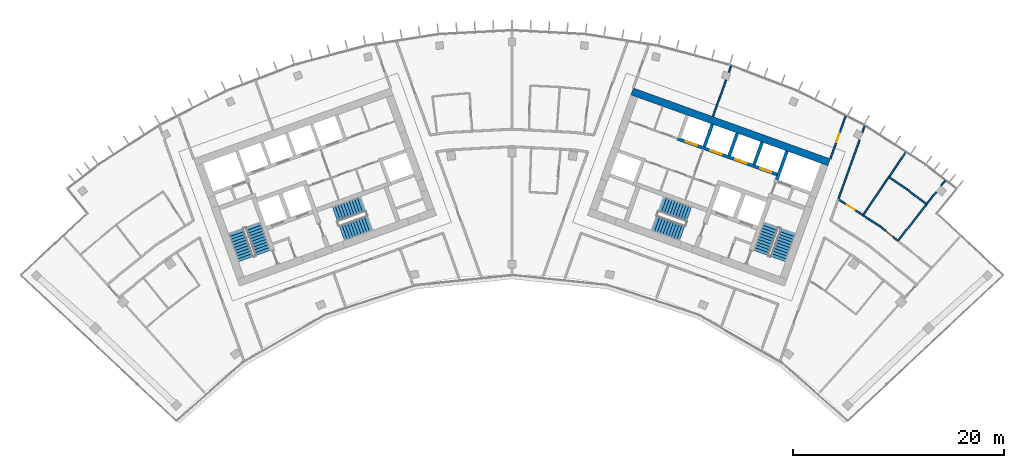
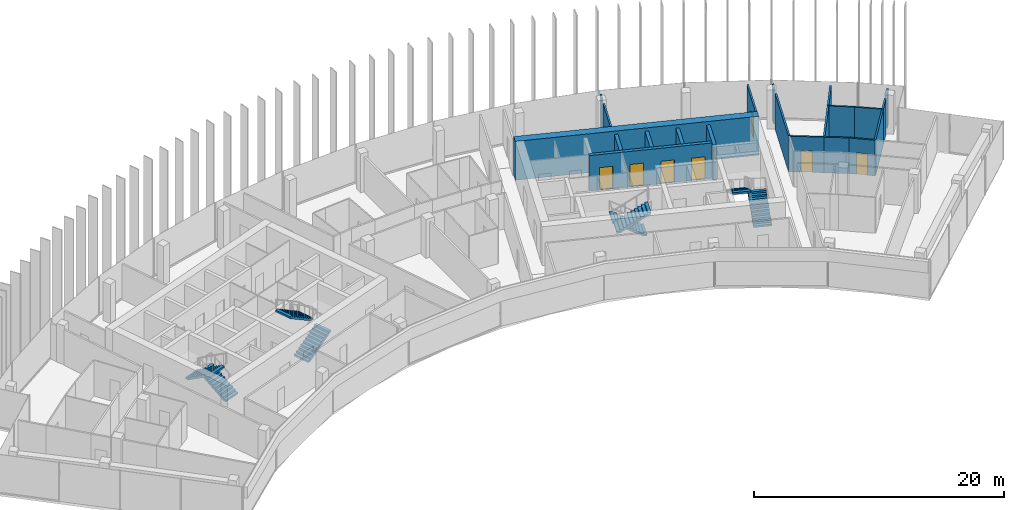
# One storey, part 18 of 19: 21 walls, 8 stair flights, 7 doors, 7 openings, 4 elements without a shape of their own.
"""IFC4 building model written with IfcOpenShell, lengths in metres."""

from ifc_helpers import new_model, si_unit, direction, frame, frame_2d, origin, place, context, subcontext, project, spatial, polyline, rectangle, outline, extrude, material, layer, layer_set, type_object, element, fill, aggregate, save


model = new_model("IFC4")

# Units and contexts
model_context = context("Model", 3, precision=1e-05, world=origin(), true_north=direction((0.0, 1.0)))
body_context = subcontext(model_context, "Body", "Model", "MODEL_VIEW")
ifc_project = project(units=[si_unit("LENGTHUNIT", "METRE"), si_unit("AREAUNIT", "SQUARE_METRE"), si_unit("VOLUMEUNIT", "CUBIC_METRE"), si_unit("PLANEANGLEUNIT", "RADIAN"), si_unit("MASSUNIT", "GRAM", prefix="KILO")], contexts=[model_context])

# Site, building, storey
site_placement = place(None, origin())
site = spatial("IfcSite", under=ifc_project, at=site_placement, CompositionType="ELEMENT")
building_placement = place(site_placement, origin())
building = spatial("IfcBuilding", under=site, at=building_placement, Name="Stone Belt Terrace Tower", CompositionType="ELEMENT")
storey_placement = place(building_placement, frame((0.0, 0.0, 280.800048828125)))
storey = spatial("IfcBuildingStorey", under=building, at=storey_placement, Name="L68", CompositionType="ELEMENT", Elevation=280.800048828125)

# Walls
ifc_material_1 = material(Name="Concrete B60", Category="concrete")
ifc_layer_1 = layer(ifc_material_1, 0.699951171875)
ifc_layer_set_1 = layer_set([ifc_layer_1], Name="Core wall 700 B60")
wall_type_1 = type_object("IfcWallType", Name="Core wall 700 B60", PredefinedType="SHEAR", material=ifc_layer_set_1)
wall_1_placement = place(storey_placement, frame((11.35791015625, 60.795654296875, 0.0), z_axis=(0.0, 0.0, 1.0), x_axis=(0.940919787944, -0.33862952124, 0.0)))
element("IfcWall", 1, at=wall_1_placement, inside=storey, type_object=wall_type_1, Name="Core B wall convex L68", PredefinedType="SHEAR", context=body_context, shape_type="SweptSolid", body=[
    extrude(rectangle(XDim=19.7998046875, YDim=0.699951171875, at=frame_2d((9.89990234375, 0.0))), origin(), (0.0, 0.0, 1.0), 3.800048828125),
])
ifc_material_2 = material(Name="Concrete B80", Category="concrete")
ifc_layer_2 = layer(ifc_material_2, 0.300048828125)
ifc_layer_set_2 = layer_set([ifc_layer_2], Name="Lift shaft wall 300")
wall_type_2 = type_object("IfcWallType", Name="Lift shaft wall 300", PredefinedType="SHEAR", material=ifc_layer_set_2)
wall_2_placement = place(storey_placement, frame((25.046875, 52.46826171875, 0.0), z_axis=(0.0, 0.0, 1.0), x_axis=(0.338549588058, 0.940948551423, 0.0)))
element("IfcWall", 2, at=wall_2_placement, inside=storey, type_object=wall_type_2, Name="Core B wall", PredefinedType="SHEAR", context=body_context, shape_type="SweptSolid", body=[
    extrude(rectangle(XDim=2.849853515625, YDim=0.300048828125, at=frame_2d((1.4248046875, 0.0))), origin(), (0.0, 0.0, 1.0), 3.47998046875),
])

# Wall, openings, doors
wall_3_placement = place(storey_placement, frame((25.05810546875, 52.9423828125, 0.0), z_axis=(0.0, 0.0, 1.0), x_axis=(-0.940924441602, 0.338616590255, 0.0)))
wall_3 = element("IfcWall", 3, at=wall_3_placement, inside=storey, type_object=wall_type_2, Name="Core B wall", PredefinedType="SHEAR", context=body_context, shape_type="SweptSolid", body=[
    extrude(rectangle(XDim=10.000244140625, YDim=0.300048828125, at=frame_2d((5.0, 0.0))), origin(), (0.0, 0.0, 1.0), 3.47998046875),
])
opening_1_placement = place(wall_3_placement, frame((0.570068359375, 0.0, 0.0)))
opening_1 = element("IfcOpeningElement", 4, at=opening_1_placement, cuts=wall_3, Name="Opening L68-LD08", PredefinedType="OPENING", context=body_context, shape_type="SweptSolid", body=[
    extrude(rectangle(XDim=1.10009765625, YDim=2.199951171875, at=frame_2d((0.550048828125, 1.10009765625))), frame((0.0, 0.159912109375, 0.0), z_axis=(0.0, -1.0, 0.0), x_axis=(1.0, 0.0, 0.0)), (0.0, 0.0, 1.0), 0.320068359375),
])
opening_2_placement = place(wall_3_placement, frame((3.070068359375, 0.0, 0.0)))
opening_2 = element("IfcOpeningElement", 5, at=opening_2_placement, cuts=wall_3, Name="Opening L68-LD09", PredefinedType="OPENING", context=body_context, shape_type="SweptSolid", body=[
    extrude(rectangle(XDim=1.10009765625, YDim=2.199951171875, at=frame_2d((0.550048828125, 1.10009765625))), frame((0.0, 0.159912109375, 0.0), z_axis=(0.0, -1.0, 0.0), x_axis=(1.0, 0.0, 0.0)), (0.0, 0.0, 1.0), 0.320068359375),
])
opening_3_placement = place(wall_3_placement, frame((5.570068359375, 0.0, 0.0)))
opening_3 = element("IfcOpeningElement", 6, at=opening_3_placement, cuts=wall_3, Name="Opening L68-LD10", PredefinedType="OPENING", context=body_context, shape_type="SweptSolid", body=[
    extrude(rectangle(XDim=1.10009765625, YDim=2.199951171875, at=frame_2d((0.550048828125, 1.10009765625))), frame((0.0, 0.159912109375, 0.0), z_axis=(0.0, -1.0, 0.0), x_axis=(1.0, 0.0, 0.0)), (0.0, 0.0, 1.0), 0.320068359375),
])
opening_4_placement = place(wall_3_placement, frame((8.070068359375, 0.0, 0.0)))
opening_4 = element("IfcOpeningElement", 7, at=opening_4_placement, cuts=wall_3, Name="Opening L68-LD11", PredefinedType="OPENING", context=body_context, shape_type="SweptSolid", body=[
    extrude(rectangle(XDim=1.10009765625, YDim=2.199951171875, at=frame_2d((0.550048828125, 1.10009765625))), frame((0.0, 0.159912109375, 0.0), z_axis=(0.0, -1.0, 0.0), x_axis=(1.0, 0.0, 0.0)), (0.0, 0.0, 1.0), 0.320068359375),
])
ifc_material_3 = material(Name="Stainless steel door leaf", Category="steel")
door_type_1 = type_object("IfcDoorType", Name="Landing door 1100", OperationType="SLIDING_TO_LEFT", PredefinedType="DOOR", material=ifc_material_3)
door_1_placement = place(opening_1_placement, origin())
door_1 = element("IfcDoor", 8, at=door_1_placement, inside=storey, type_object=door_type_1, Name="Landing door HR1 core B", OperationType="SLIDING_TO_LEFT", OverallHeight=2.199951171875, OverallWidth=1.10009765625, PredefinedType="DOOR", context=body_context, shape_type="SweptSolid", body=[
    extrude(rectangle(XDim=1.10009765625, YDim=2.199951171875, at=frame_2d((0.550048828125, 1.10009765625))), frame((0.0, 0.02490234375, 0.0), z_axis=(0.0, -1.0, 0.0), x_axis=(1.0, 0.0, 0.0)), (0.0, 0.0, 1.0), 0.050048828125),
])
fill(opening_1, door_1)
door_2_placement = place(opening_2_placement, origin())
door_2 = element("IfcDoor", 9, at=door_2_placement, inside=storey, type_object=door_type_1, Name="Landing door HR2 core B", OperationType="SLIDING_TO_LEFT", OverallHeight=2.199951171875, OverallWidth=1.10009765625, PredefinedType="DOOR", context=body_context, shape_type="SweptSolid", body=[
    extrude(rectangle(XDim=1.10009765625, YDim=2.199951171875, at=frame_2d((0.550048828125, 1.10009765625))), frame((0.0, 0.02490234375, 0.0), z_axis=(0.0, -1.0, 0.0), x_axis=(1.0, 0.0, 0.0)), (0.0, 0.0, 1.0), 0.050048828125),
])
fill(opening_2, door_2)
door_3_placement = place(opening_3_placement, origin())
door_3 = element("IfcDoor", 10, at=door_3_placement, inside=storey, type_object=door_type_1, Name="Landing door HR3 core B", OperationType="SLIDING_TO_LEFT", OverallHeight=2.199951171875, OverallWidth=1.10009765625, PredefinedType="DOOR", context=body_context, shape_type="SweptSolid", body=[
    extrude(rectangle(XDim=1.10009765625, YDim=2.199951171875, at=frame_2d((0.550048828125, 1.10009765625))), frame((0.0, 0.02490234375, 0.0), z_axis=(0.0, -1.0, 0.0), x_axis=(1.0, 0.0, 0.0)), (0.0, 0.0, 1.0), 0.050048828125),
])
fill(opening_3, door_3)
door_4_placement = place(opening_4_placement, origin())
door_4 = element("IfcDoor", 11, at=door_4_placement, inside=storey, type_object=door_type_1, Name="Landing door HR4 core B", OperationType="SLIDING_TO_LEFT", OverallHeight=2.199951171875, OverallWidth=1.10009765625, PredefinedType="DOOR", context=body_context, shape_type="SweptSolid", body=[
    extrude(rectangle(XDim=1.10009765625, YDim=2.199951171875, at=frame_2d((0.550048828125, 1.10009765625))), frame((0.0, 0.02490234375, 0.0), z_axis=(0.0, -1.0, 0.0), x_axis=(1.0, 0.0, 0.0)), (0.0, 0.0, 1.0), 0.050048828125),
])
fill(opening_4, door_4)

# Walls
wall_4_placement = place(storey_placement, frame((22.897705078125, 53.87939453125, 0.0), z_axis=(0.0, 0.0, 1.0), x_axis=(0.338535034312, 0.940953787677, 0.0)))
element("IfcWall", 12, at=wall_4_placement, inside=storey, type_object=wall_type_2, Name="Core B wall", PredefinedType="SHEAR", context=body_context, shape_type="SweptSolid", body=[
    extrude(rectangle(XDim=2.25, YDim=0.300048828125, at=frame_2d((1.125, 0.0))), origin(), (0.0, 0.0, 1.0), 3.47998046875),
])
wall_5_placement = place(storey_placement, frame((20.54541015625, 54.72607421875, 0.0), z_axis=(0.0, 0.0, 1.0), x_axis=(0.338569601369, 0.940941350472, 0.0)))
element("IfcWall", 13, at=wall_5_placement, inside=storey, type_object=wall_type_2, Name="Core B wall", PredefinedType="SHEAR", context=body_context, shape_type="SweptSolid", body=[
    extrude(rectangle(XDim=2.249755859375, YDim=0.300048828125, at=frame_2d((1.125, 0.0))), origin(), (0.0, 0.0, 1.0), 3.47998046875),
])
wall_6_placement = place(storey_placement, frame((18.193115234375, 55.572509765625, 0.0), z_axis=(0.0, 0.0, 1.0), x_axis=(0.338535034312, 0.940953787677, 0.0)))
element("IfcWall", 14, at=wall_6_placement, inside=storey, type_object=wall_type_2, Name="Core B wall", PredefinedType="SHEAR", context=body_context, shape_type="SweptSolid", body=[
    extrude(rectangle(XDim=2.25, YDim=0.300048828125, at=frame_2d((1.125, 0.0))), origin(), (0.0, 0.0, 1.0), 3.47998046875),
])

# Wall, opening, door
ifc_material_4 = material(Name="Gypsum board partition")
ifc_layer_3 = layer(ifc_material_4, 0.14990234375)
ifc_layer_set_3 = layer_set([ifc_layer_3], Name="PARTITION 150 EI 60")
wall_type_3 = type_object("IfcWallType", Name="PARTITION 150 EI 60", PredefinedType="PARTITIONING", material=ifc_layer_set_3)
wall_7_placement = place(storey_placement, frame((30.10595703125, 54.419921875, 0.0), z_axis=(0.0, 0.0, 1.0), x_axis=(0.338580264222, 0.940937513695, 0.0)))
wall_7 = element("IfcWall", 15, at=wall_7_placement, inside=storey, type_object=wall_type_3, Name="L68/wall/i023", PredefinedType="PARTITIONING", context=body_context, shape_type="SweptSolid", body=[
    extrude(rectangle(XDim=4.285400390625, YDim=0.14990234375, at=frame_2d((2.142578125, 0.0))), origin(), (0.0, 0.0, 1.0), 3.47998046875),
])
opening_5_placement = place(wall_7_placement, frame((1.692626953125, 0.0, 0.0)))
opening_5 = element("IfcOpeningElement", 16, at=opening_5_placement, cuts=wall_7, Name="Opening D-E2-10", PredefinedType="OPENING", context=body_context, shape_type="SweptSolid", body=[
    extrude(rectangle(XDim=0.89990234375, YDim=2.10009765625, at=frame_2d((0.449951171875, 1.050048828125))), frame((0.0, 0.0849609375, 0.0), z_axis=(0.0, -1.0, 0.0), x_axis=(1.0, 0.0, 0.0)), (0.0, 0.0, 1.0), 0.169921875),
])
ifc_material_5 = material(Name="Timber door leaf", Category="wood")
door_type_2 = type_object("IfcDoorType", Name="OFFICE DOOR 900 X 2100", OperationType="NOTDEFINED", PredefinedType="DOOR", material=ifc_material_5)
door_5_placement = place(opening_5_placement, origin())
door_5 = element("IfcDoor", 17, at=door_5_placement, inside=storey, type_object=door_type_2, Name="L68/door/i10", OperationType="SINGLE_SWING_RIGHT", OverallHeight=2.10009765625, OverallWidth=0.89990234375, PredefinedType="DOOR", context=body_context, shape_type="SweptSolid", body=[
    extrude(rectangle(XDim=0.89990234375, YDim=2.10009765625, at=frame_2d((0.449951171875, 1.050048828125))), frame((0.0, 0.02490234375, 0.0), z_axis=(0.0, -1.0, 0.0), x_axis=(1.0, 0.0, 0.0)), (0.0, 0.0, 1.0), 0.050048828125),
])
fill(opening_5, door_5)

# Walls
wall_8_placement = place(storey_placement, frame((33.348876953125, 57.523193359375, 0.0), z_axis=(0.0, 0.0, 1.0), x_axis=(-0.338733145318, -0.94088248802, 0.0)))
element("IfcWall", 18, at=wall_8_placement, inside=storey, type_object=wall_type_3, Name="L68/wall/i028", PredefinedType="PARTITIONING", context=body_context, shape_type="SweptSolid", body=[
    extrude(rectangle(XDim=0.632080078125, YDim=0.14990234375, at=frame_2d((0.31591796875, 0.0))), origin(), (0.0, 0.0, 1.0), 3.47998046875),
])
wall_9_placement = place(storey_placement, frame((32.875244140625, 56.20703125, 0.0), z_axis=(0.0, 0.0, 1.0), x_axis=(-0.338696289535, -0.940895755892, 0.0)))
element("IfcWall", 19, at=wall_9_placement, inside=storey, type_object=wall_type_3, Name="L68/wall/i029", PredefinedType="PARTITIONING", context=body_context, shape_type="SweptSolid", body=[
    extrude(rectangle(XDim=5.9677734375, YDim=0.14990234375, at=frame_2d((2.98388671875, 0.0))), origin(), (0.0, 0.0, 1.0), 3.47998046875),
])
wall_10_placement = place(storey_placement, frame((20.716796875, 63.18115234375, 0.0), z_axis=(0.0, 0.0, 1.0), x_axis=(-0.33862220563, -0.940922420742, 0.0)))
element("IfcWall", 20, at=wall_10_placement, inside=storey, type_object=wall_type_3, Name="L68/wall/i035", PredefinedType="PARTITIONING", context=body_context, shape_type="SweptSolid", body=[
    extrude(rectangle(XDim=0.622314453125, YDim=0.14990234375, at=frame_2d((0.31103515625, 0.0))), origin(), (0.0, 0.0, 1.0), 3.47998046875),
])
wall_11_placement = place(storey_placement, frame((20.24853515625, 61.88037109375, 0.0), z_axis=(0.0, 0.0, 1.0), x_axis=(-0.338663099536, -0.940907702707, 0.0)))
element("IfcWall", 21, at=wall_11_placement, inside=storey, type_object=wall_type_3, Name="L68/wall/i036", PredefinedType="PARTITIONING", context=body_context, shape_type="SweptSolid", body=[
    extrude(rectangle(XDim=3.680908203125, YDim=0.14990234375, at=frame_2d((1.84033203125, 0.0))), origin(), (0.0, 0.0, 1.0), 3.47998046875),
])

# Wall, opening, door
wall_12_placement = place(storey_placement, frame((30.85595703125, 50.597900390625, 0.0), z_axis=(0.0, 0.0, 1.0), x_axis=(0.838718223529, -0.544565644822, 0.0)))
wall_12 = element("IfcWall", 22, at=wall_12_placement, inside=storey, type_object=wall_type_3, Name="L68/wall/i075", PredefinedType="PARTITIONING", context=body_context, shape_type="SweptSolid", body=[
    extrude(rectangle(XDim=2.802001953125, YDim=0.14990234375, at=frame_2d((1.40087890625, 0.0))), origin(), (0.0, 0.0, 1.0), 3.47998046875),
])
opening_6_placement = place(wall_12_placement, frame((0.950927734375, 0.0, 0.0)))
opening_6 = element("IfcOpeningElement", 23, at=opening_6_placement, cuts=wall_12, Name="Opening D-E2-23", PredefinedType="OPENING", context=body_context, shape_type="SweptSolid", body=[
    extrude(rectangle(XDim=0.89990234375, YDim=2.10009765625, at=frame_2d((0.449951171875, 1.050048828125))), frame((0.0, 0.0849609375, 0.0), z_axis=(0.0, -1.0, 0.0), x_axis=(1.0, 0.0, 0.0)), (0.0, 0.0, 1.0), 0.169921875),
])
door_6_placement = place(opening_6_placement, origin())
door_6 = element("IfcDoor", 24, at=door_6_placement, inside=storey, type_object=door_type_2, Name="L68/door/i23", OperationType="SINGLE_SWING_RIGHT", OverallHeight=2.10009765625, OverallWidth=0.89990234375, PredefinedType="DOOR", context=body_context, shape_type="SweptSolid", body=[
    extrude(rectangle(XDim=0.89990234375, YDim=2.10009765625, at=frame_2d((0.449951171875, 1.050048828125))), frame((0.0, 0.02490234375, 0.0), z_axis=(0.0, -1.0, 0.0), x_axis=(1.0, 0.0, 0.0)), (0.0, 0.0, 1.0), 0.050048828125),
])
fill(opening_6, door_6)

# Wall
wall_13_placement = place(storey_placement, frame((33.196044921875, 49.077880859375, 0.0), z_axis=(0.0, 0.0, 1.0), x_axis=(0.838767892149, -0.544489139562, 0.0)))
element("IfcWall", 25, at=wall_13_placement, inside=storey, type_object=wall_type_3, Name="L68/wall/i076", PredefinedType="PARTITIONING", context=body_context, shape_type="SweptSolid", body=[
    extrude(rectangle(XDim=1.994384765625, YDim=0.14990234375, at=frame_2d((0.9970703125, 0.0))), origin(), (0.0, 0.0, 1.0), 3.47998046875),
])

# Wall, opening, door
wall_14_placement = place(storey_placement, frame((34.868896484375, 47.991943359375, 0.0), z_axis=(0.0, 0.0, 1.0), x_axis=(0.777164283985, -0.629297763939, 0.0)))
wall_14 = element("IfcWall", 26, at=wall_14_placement, inside=storey, type_object=wall_type_3, Name="L68/wall/i077", PredefinedType="PARTITIONING", context=body_context, shape_type="SweptSolid", body=[
    extrude(rectangle(XDim=2.11669921875, YDim=0.14990234375, at=frame_2d((1.058349609375, 0.0))), origin(), (0.0, 0.0, 1.0), 3.47998046875),
])
opening_7_placement = place(wall_14_placement, frame((0.6083984375, 0.0, 0.0)))
opening_7 = element("IfcOpeningElement", 27, at=opening_7_placement, cuts=wall_14, Name="Opening D-E2-24", PredefinedType="OPENING", context=body_context, shape_type="SweptSolid", body=[
    extrude(rectangle(XDim=0.89990234375, YDim=2.10009765625, at=frame_2d((0.449951171875, 1.050048828125))), frame((0.0, 0.0849609375, 0.0), z_axis=(0.0, -1.0, 0.0), x_axis=(1.0, 0.0, 0.0)), (0.0, 0.0, 1.0), 0.169921875),
])
door_7_placement = place(opening_7_placement, origin())
door_7 = element("IfcDoor", 28, at=door_7_placement, inside=storey, type_object=door_type_2, Name="L68/door/i24", OperationType="SINGLE_SWING_RIGHT", OverallHeight=2.10009765625, OverallWidth=0.89990234375, PredefinedType="DOOR", context=body_context, shape_type="SweptSolid", body=[
    extrude(rectangle(XDim=0.89990234375, YDim=2.10009765625, at=frame_2d((0.449951171875, 1.050048828125))), frame((0.0, 0.02490234375, 0.0), z_axis=(0.0, -1.0, 0.0), x_axis=(1.0, 0.0, 0.0)), (0.0, 0.0, 1.0), 0.050048828125),
])
fill(opening_7, door_7)

# Walls
wall_15_placement = place(storey_placement, frame((35.657958984375, 52.7080078125, 0.0), z_axis=(0.0, 0.0, 1.0), x_axis=(-0.560211644635, -0.828349511508, 0.0)))
element("IfcWall", 29, at=wall_15_placement, inside=storey, type_object=wall_type_3, Name="L68/wall/i079", PredefinedType="PARTITIONING", context=body_context, shape_type="SweptSolid", body=[
    extrude(rectangle(XDim=4.385986328125, YDim=0.14990234375, at=frame_2d((2.19287109375, 0.0))), origin(), (0.0, 0.0, 1.0), 3.47998046875),
])
wall_16_placement = place(storey_placement, frame((37.218017578125, 55.013916015625, 0.0), z_axis=(0.0, 0.0, 1.0), x_axis=(-0.560129616984, -0.828404980778, 0.0)))
element("IfcWall", 30, at=wall_16_placement, inside=storey, type_object=wall_type_3, Name="L68/wall/i080", PredefinedType="PARTITIONING", context=body_context, shape_type="SweptSolid", body=[
    extrude(rectangle(XDim=2.795654296875, YDim=0.14990234375, at=frame_2d((1.39794921875, 0.0))), origin(), (0.0, 0.0, 1.0), 3.47998046875),
])
wall_17_placement = place(storey_placement, frame((35.655029296875, 52.702880859375, 0.0), z_axis=(0.0, 0.0, 1.0), x_axis=(0.82382476959, -0.566844554538, 0.0)))
element("IfcWall", 31, at=wall_17_placement, inside=storey, type_object=wall_type_3, Name="L68/wall/i081", PredefinedType="PARTITIONING", context=body_context, shape_type="SweptSolid", body=[
    extrude(rectangle(XDim=2.1328125, YDim=0.14990234375, at=frame_2d((1.06640625, 0.0))), origin(), (0.0, 0.0, 1.0), 3.47998046875),
])
wall_18_placement = place(storey_placement, frame((37.412109375, 51.493896484375, 0.0), z_axis=(0.0, 0.0, 1.0), x_axis=(0.793120467895, -0.609064794095, 0.0)))
element("IfcWall", 32, at=wall_18_placement, inside=storey, type_object=wall_type_3, Name="L68/wall/i082", PredefinedType="PARTITIONING", context=body_context, shape_type="SweptSolid", body=[
    extrude(rectangle(XDim=2.265625, YDim=0.14990234375, at=frame_2d((1.1328125, 0.0))), origin(), (0.0, 0.0, 1.0), 3.47998046875),
])
wall_19_placement = place(storey_placement, frame((39.208984375, 50.114013671875, 0.0), z_axis=(0.0, 0.0, 1.0), x_axis=(-0.616168485645, -0.787614370932, 0.0)))
element("IfcWall", 33, at=wall_19_placement, inside=storey, type_object=wall_type_3, Name="L68/wall/i083", PredefinedType="PARTITIONING", context=body_context, shape_type="SweptSolid", body=[
    extrude(rectangle(XDim=4.38037109375, YDim=0.14990234375, at=frame_2d((2.190185546875, 0.0))), origin(), (0.0, 0.0, 1.0), 3.47998046875),
])
wall_20_placement = place(storey_placement, frame((40.963623046875, 52.356689453125, 0.0), z_axis=(0.0, 0.0, 1.0), x_axis=(-0.616134966401, -0.787640592642, 0.0)))
element("IfcWall", 34, at=wall_20_placement, inside=storey, type_object=wall_type_3, Name="L68/wall/i084", PredefinedType="PARTITIONING", context=body_context, shape_type="SweptSolid", body=[
    extrude(rectangle(XDim=0.60791015625, YDim=0.14990234375, at=frame_2d((0.303955078125, 0.0))), origin(), (0.0, 0.0, 1.0), 3.47998046875),
])
wall_21_placement = place(storey_placement, frame((40.120849609375, 51.279541015625, 0.0), z_axis=(0.0, 0.0, 1.0), x_axis=(-0.616188148324, -0.787598987979, 0.0)))
element("IfcWall", 35, at=wall_21_placement, inside=storey, type_object=wall_type_3, Name="L68/wall/i085", PredefinedType="PARTITIONING", context=body_context, shape_type="SweptSolid", body=[
    extrude(rectangle(XDim=1.479736328125, YDim=0.14990234375, at=frame_2d((0.73974609375, 0.0))), origin(), (0.0, 0.0, 1.0), 3.47998046875),
])

# Stair, stair flights
ifc_material_6 = material(Name="Concrete B40", Category="concrete")
stair_type = type_object("IfcStairType", Name="Exit stair 1500", PredefinedType="HALF_TURN_STAIR", material=ifc_material_6)
stair_1_placement = place(storey_placement, origin())
stair_1 = element("IfcStair", 36, at=stair_1_placement, inside=storey, type_object=stair_type, Name="L68 Exit stair 1 core A", PredefinedType="HALF_TURN_STAIR")
stair_flight_type = type_object("IfcStairFlightType", Name="Stair flight 1500", PredefinedType="STRAIGHT", material=ifc_material_6)
stair_flight_1_placement = place(storey_placement, frame((-23.55322265625, 45.51318359375, 0.0), z_axis=(0.0, 0.0, 1.0), x_axis=(-0.338624396177, 0.940921632398, 0.0)))
stair_flight_1 = element("IfcStairFlight", 37, at=stair_flight_1_placement, type_object=stair_flight_type, Name="ST1A flight 1", NumberOfRisers=11, NumberOfTreads=10, PredefinedType="STRAIGHT", RiserHeight=0.172727273, TreadLength=0.28, context=body_context, shape_type="SweptSolid", body=[
    extrude(outline(polyline([(0.0, 0.0), (0.0, 0.172607421875), (0.280029296875, 0.172607421875), (0.280029296875, 0.345458984375), (0.56005859375, 0.345458984375), (0.56005859375, 0.51806640625), (0.840087890625, 0.51806640625), (0.840087890625, 0.69091796875), (1.1201171875, 0.69091796875), (1.1201171875, 0.863525390625), (1.39990234375, 0.863525390625), (1.39990234375, 1.036376953125), (1.679931640625, 1.036376953125), (1.679931640625, 1.208984375), (1.9599609375, 1.208984375), (1.9599609375, 1.3818359375), (2.239990234375, 1.3818359375), (2.239990234375, 1.554443359375), (2.52001953125, 1.554443359375), (2.52001953125, 1.727294921875), (2.800048828125, 1.727294921875), (2.800048828125, 1.89990234375), (2.800048828125, 1.551025390625), (0.285400390625, 0.0), (0.0, 0.0)])), frame((0.0, 0.75, 0.0), z_axis=(0.0, -1.0, 0.0), x_axis=(1.0, 0.0, 0.0)), (0.0, 0.0, 1.0), 1.5),
])
stair_flight_2_placement = place(storey_placement, frame((-26.10107421875, 47.572021484375, 1.89990234375), z_axis=(0.0, 0.0, 1.0), x_axis=(0.338624396177, -0.940921632398, 0.0)))
stair_flight_2 = element("IfcStairFlight", 38, at=stair_flight_2_placement, type_object=stair_flight_type, Name="ST1A flight 2", NumberOfRisers=11, NumberOfTreads=10, PredefinedType="STRAIGHT", RiserHeight=0.172727273, TreadLength=0.28, context=body_context, shape_type="SweptSolid", body=[
    extrude(outline(polyline([(0.0, 0.0), (0.0, 0.172607421875), (0.280029296875, 0.172607421875), (0.280029296875, 0.345458984375), (0.56005859375, 0.345458984375), (0.56005859375, 0.51806640625), (0.840087890625, 0.51806640625), (0.840087890625, 0.69091796875), (1.1201171875, 0.69091796875), (1.1201171875, 0.863525390625), (1.39990234375, 0.863525390625), (1.39990234375, 1.036376953125), (1.679931640625, 1.036376953125), (1.679931640625, 1.208984375), (1.9599609375, 1.208984375), (1.9599609375, 1.3818359375), (2.239990234375, 1.3818359375), (2.239990234375, 1.554443359375), (2.52001953125, 1.554443359375), (2.52001953125, 1.727294921875), (2.800048828125, 1.727294921875), (2.800048828125, 1.89990234375), (2.800048828125, 1.551025390625), (0.285400390625, 0.0), (0.0, 0.0)])), frame((0.0, 0.75, 0.0), z_axis=(0.0, -1.0, 0.0), x_axis=(1.0, 0.0, 0.0)), (0.0, 0.0, 1.0), 1.5),
])
aggregate(stair_1, [stair_flight_1, stair_flight_2])

stair_2_placement = place(storey_placement, origin())
stair_2 = element("IfcStair", 39, at=stair_2_placement, inside=storey, type_object=stair_type, Name="L68 Exit stair 2 core A", PredefinedType="HALF_TURN_STAIR")
stair_flight_3_placement = place(storey_placement, frame((-16.101318359375, 47.39794921875, 0.0), z_axis=(0.0, 0.0, 1.0), x_axis=(0.940921632398, 0.338624396177, 0.0)))
stair_flight_3 = element("IfcStairFlight", 40, at=stair_flight_3_placement, type_object=stair_flight_type, Name="ST2A flight 1", NumberOfRisers=11, NumberOfTreads=10, PredefinedType="STRAIGHT", RiserHeight=0.172727273, TreadLength=0.28, context=body_context, shape_type="SweptSolid", body=[
    extrude(outline(polyline([(0.0, 0.0), (0.0, 0.172607421875), (0.280029296875, 0.172607421875), (0.280029296875, 0.345458984375), (0.56005859375, 0.345458984375), (0.56005859375, 0.51806640625), (0.840087890625, 0.51806640625), (0.840087890625, 0.69091796875), (1.1201171875, 0.69091796875), (1.1201171875, 0.863525390625), (1.39990234375, 0.863525390625), (1.39990234375, 1.036376953125), (1.679931640625, 1.036376953125), (1.679931640625, 1.208984375), (1.9599609375, 1.208984375), (1.9599609375, 1.3818359375), (2.239990234375, 1.3818359375), (2.239990234375, 1.554443359375), (2.52001953125, 1.554443359375), (2.52001953125, 1.727294921875), (2.800048828125, 1.727294921875), (2.800048828125, 1.89990234375), (2.800048828125, 1.551025390625), (0.285400390625, 0.0), (0.0, 0.0)])), frame((0.0, 0.75, 0.0), z_axis=(0.0, -1.0, 0.0), x_axis=(1.0, 0.0, 0.0)), (0.0, 0.0, 1.0), 1.5),
])
stair_flight_4_placement = place(storey_placement, frame((-14.110107421875, 50.1337890625, 1.89990234375), z_axis=(0.0, 0.0, 1.0), x_axis=(-0.940921632398, -0.338624396177, 0.0)))
stair_flight_4 = element("IfcStairFlight", 41, at=stair_flight_4_placement, type_object=stair_flight_type, Name="ST2A flight 2", NumberOfRisers=11, NumberOfTreads=10, PredefinedType="STRAIGHT", RiserHeight=0.172727273, TreadLength=0.28, context=body_context, shape_type="SweptSolid", body=[
    extrude(outline(polyline([(0.0, 0.0), (0.0, 0.172607421875), (0.280029296875, 0.172607421875), (0.280029296875, 0.345458984375), (0.56005859375, 0.345458984375), (0.56005859375, 0.51806640625), (0.840087890625, 0.51806640625), (0.840087890625, 0.69091796875), (1.1201171875, 0.69091796875), (1.1201171875, 0.863525390625), (1.39990234375, 0.863525390625), (1.39990234375, 1.036376953125), (1.679931640625, 1.036376953125), (1.679931640625, 1.208984375), (1.9599609375, 1.208984375), (1.9599609375, 1.3818359375), (2.239990234375, 1.3818359375), (2.239990234375, 1.554443359375), (2.52001953125, 1.554443359375), (2.52001953125, 1.727294921875), (2.800048828125, 1.727294921875), (2.800048828125, 1.89990234375), (2.800048828125, 1.551025390625), (0.285400390625, 0.0), (0.0, 0.0)])), frame((0.0, 0.75, 0.0), z_axis=(0.0, -1.0, 0.0), x_axis=(1.0, 0.0, 0.0)), (0.0, 0.0, 1.0), 1.5),
])
aggregate(stair_2, [stair_flight_3, stair_flight_4])

stair_3_placement = place(storey_placement, origin())
stair_3 = element("IfcStair", 42, at=stair_3_placement, inside=storey, type_object=stair_type, Name="L68 Exit stair 1 core B", PredefinedType="HALF_TURN_STAIR")
stair_flight_5_placement = place(storey_placement, frame((25.15283203125, 44.9375, 0.0), z_axis=(0.0, 0.0, 1.0), x_axis=(0.338624396177, 0.940921632398, 0.0)))
stair_flight_5 = element("IfcStairFlight", 43, at=stair_flight_5_placement, type_object=stair_flight_type, Name="ST1B flight 1", NumberOfRisers=11, NumberOfTreads=10, PredefinedType="STRAIGHT", RiserHeight=0.172727273, TreadLength=0.28, context=body_context, shape_type="SweptSolid", body=[
    extrude(outline(polyline([(0.0, 0.0), (0.0, 0.172607421875), (0.280029296875, 0.172607421875), (0.280029296875, 0.345458984375), (0.56005859375, 0.345458984375), (0.56005859375, 0.51806640625), (0.840087890625, 0.51806640625), (0.840087890625, 0.69091796875), (1.1201171875, 0.69091796875), (1.1201171875, 0.863525390625), (1.39990234375, 0.863525390625), (1.39990234375, 1.036376953125), (1.679931640625, 1.036376953125), (1.679931640625, 1.208984375), (1.9599609375, 1.208984375), (1.9599609375, 1.3818359375), (2.239990234375, 1.3818359375), (2.239990234375, 1.554443359375), (2.52001953125, 1.554443359375), (2.52001953125, 1.727294921875), (2.800048828125, 1.727294921875), (2.800048828125, 1.89990234375), (2.800048828125, 1.551025390625), (0.285400390625, 0.0), (0.0, 0.0)])), frame((0.0, 0.75, 0.0), z_axis=(0.0, -1.0, 0.0), x_axis=(1.0, 0.0, 0.0)), (0.0, 0.0, 1.0), 1.5),
])
stair_flight_6_placement = place(storey_placement, frame((24.50146484375, 48.147705078125, 1.89990234375), z_axis=(0.0, 0.0, 1.0), x_axis=(-0.338624396177, -0.940921632398, 0.0)))
stair_flight_6 = element("IfcStairFlight", 44, at=stair_flight_6_placement, type_object=stair_flight_type, Name="ST1B flight 2", NumberOfRisers=11, NumberOfTreads=10, PredefinedType="STRAIGHT", RiserHeight=0.172727273, TreadLength=0.28, context=body_context, shape_type="SweptSolid", body=[
    extrude(outline(polyline([(0.0, 0.0), (0.0, 0.172607421875), (0.280029296875, 0.172607421875), (0.280029296875, 0.345458984375), (0.56005859375, 0.345458984375), (0.56005859375, 0.51806640625), (0.840087890625, 0.51806640625), (0.840087890625, 0.69091796875), (1.1201171875, 0.69091796875), (1.1201171875, 0.863525390625), (1.39990234375, 0.863525390625), (1.39990234375, 1.036376953125), (1.679931640625, 1.036376953125), (1.679931640625, 1.208984375), (1.9599609375, 1.208984375), (1.9599609375, 1.3818359375), (2.239990234375, 1.3818359375), (2.239990234375, 1.554443359375), (2.52001953125, 1.554443359375), (2.52001953125, 1.727294921875), (2.800048828125, 1.727294921875), (2.800048828125, 1.89990234375), (2.800048828125, 1.551025390625), (0.285400390625, 0.0), (0.0, 0.0)])), frame((0.0, 0.75, 0.0), z_axis=(0.0, -1.0, 0.0), x_axis=(1.0, 0.0, 0.0)), (0.0, 0.0, 1.0), 1.5),
])
aggregate(stair_3, [stair_flight_5, stair_flight_6])

stair_4_placement = place(storey_placement, origin())
stair_4 = element("IfcStair", 45, at=stair_4_placement, inside=storey, type_object=stair_type, Name="L68 Exit stair 2 core B", PredefinedType="HALF_TURN_STAIR")
stair_flight_7_placement = place(storey_placement, frame((16.74462890625, 49.185546875, 0.0), z_axis=(0.0, 0.0, 1.0), x_axis=(-0.940921632398, 0.338624396177, 0.0)))
stair_flight_7 = element("IfcStairFlight", 46, at=stair_flight_7_placement, type_object=stair_flight_type, Name="ST2B flight 1", NumberOfRisers=11, NumberOfTreads=10, PredefinedType="STRAIGHT", RiserHeight=0.172727273, TreadLength=0.28, context=body_context, shape_type="SweptSolid", body=[
    extrude(outline(polyline([(0.0, 0.0), (0.0, 0.172607421875), (0.280029296875, 0.172607421875), (0.280029296875, 0.345458984375), (0.56005859375, 0.345458984375), (0.56005859375, 0.51806640625), (0.840087890625, 0.51806640625), (0.840087890625, 0.69091796875), (1.1201171875, 0.69091796875), (1.1201171875, 0.863525390625), (1.39990234375, 0.863525390625), (1.39990234375, 1.036376953125), (1.679931640625, 1.036376953125), (1.679931640625, 1.208984375), (1.9599609375, 1.208984375), (1.9599609375, 1.3818359375), (2.239990234375, 1.3818359375), (2.239990234375, 1.554443359375), (2.52001953125, 1.554443359375), (2.52001953125, 1.727294921875), (2.800048828125, 1.727294921875), (2.800048828125, 1.89990234375), (2.800048828125, 1.551025390625), (0.285400390625, 0.0), (0.0, 0.0)])), frame((0.0, 0.75, 0.0), z_axis=(0.0, -1.0, 0.0), x_axis=(1.0, 0.0, 0.0)), (0.0, 0.0, 1.0), 1.5),
])
stair_flight_8_placement = place(storey_placement, frame((13.466796875, 48.345947265625, 1.89990234375), z_axis=(0.0, 0.0, 1.0), x_axis=(0.940921632398, -0.338624396177, 0.0)))
stair_flight_8 = element("IfcStairFlight", 47, at=stair_flight_8_placement, type_object=stair_flight_type, Name="ST2B flight 2", NumberOfRisers=11, NumberOfTreads=10, PredefinedType="STRAIGHT", RiserHeight=0.172727273, TreadLength=0.28, context=body_context, shape_type="SweptSolid", body=[
    extrude(outline(polyline([(0.0, 0.0), (0.0, 0.172607421875), (0.280029296875, 0.172607421875), (0.280029296875, 0.345458984375), (0.56005859375, 0.345458984375), (0.56005859375, 0.51806640625), (0.840087890625, 0.51806640625), (0.840087890625, 0.69091796875), (1.1201171875, 0.69091796875), (1.1201171875, 0.863525390625), (1.39990234375, 0.863525390625), (1.39990234375, 1.036376953125), (1.679931640625, 1.036376953125), (1.679931640625, 1.208984375), (1.9599609375, 1.208984375), (1.9599609375, 1.3818359375), (2.239990234375, 1.3818359375), (2.239990234375, 1.554443359375), (2.52001953125, 1.554443359375), (2.52001953125, 1.727294921875), (2.800048828125, 1.727294921875), (2.800048828125, 1.89990234375), (2.800048828125, 1.551025390625), (0.285400390625, 0.0), (0.0, 0.0)])), frame((0.0, 0.75, 0.0), z_axis=(0.0, -1.0, 0.0), x_axis=(1.0, 0.0, 0.0)), (0.0, 0.0, 1.0), 1.5),
])
aggregate(stair_4, [stair_flight_7, stair_flight_8])

save(model, "model.ifc")
